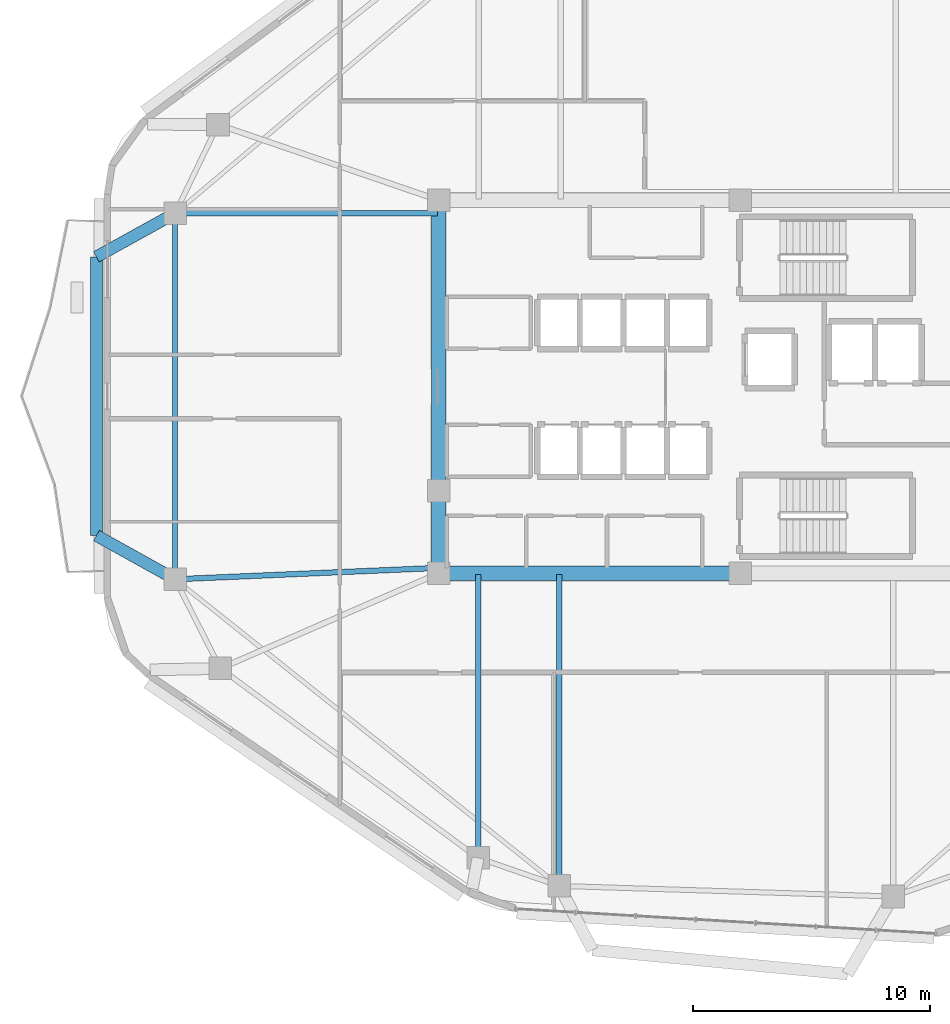
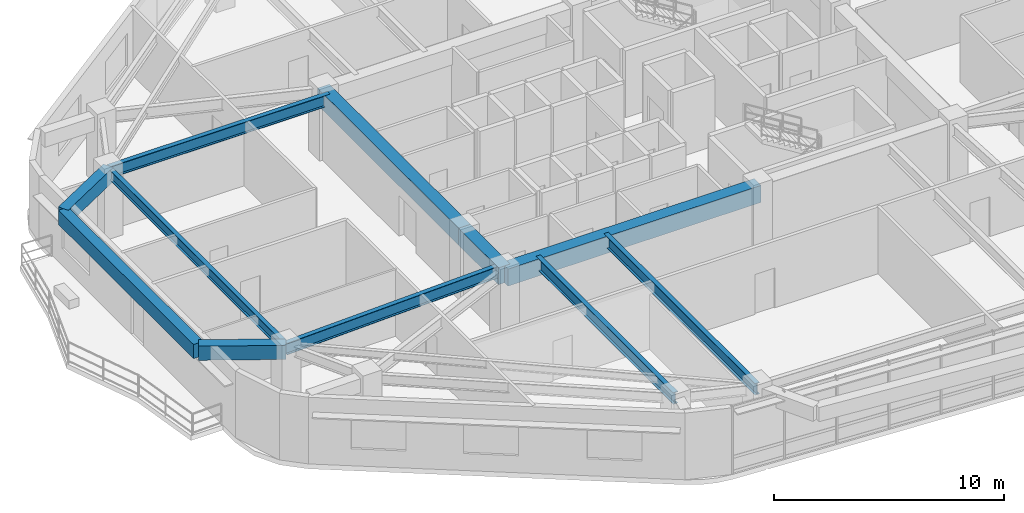
# One storey, part 5 of 14: 11 beams.
"""IFC4 building model written with IfcOpenShell, lengths in metres."""

from ifc_helpers import new_model, si_unit, direction, frame, origin, origin_2d, place, context, subcontext, project, spatial, rectangle, i_section, extrude, material, material_profile, profile_set, type_object, element, save


model = new_model("IFC4")

# Units and contexts
model_context = context("Model", 3, precision=1e-05, world=origin(), true_north=direction((0.0, 1.0)))
body_context = subcontext(model_context, "Body", "Model", "MODEL_VIEW")
ifc_project = project(units=[si_unit("LENGTHUNIT", "METRE"), si_unit("AREAUNIT", "SQUARE_METRE"), si_unit("VOLUMEUNIT", "CUBIC_METRE"), si_unit("PLANEANGLEUNIT", "RADIAN"), si_unit("MASSUNIT", "GRAM", prefix="KILO")], contexts=[model_context])

# Site, building, storey
site_placement = place(None, origin())
site = spatial("IfcSite", under=ifc_project, at=site_placement, CompositionType="ELEMENT")
building_placement = place(site_placement, origin())
building = spatial("IfcBuilding", under=site, at=building_placement, Name="Zulverin Broadcast Headquarters", CompositionType="ELEMENT")
storey_placement = place(building_placement, frame((0.0, 0.0, 208.60009765625)))
storey = spatial("IfcBuildingStorey", under=building, at=storey_placement, Name="L53", CompositionType="ELEMENT", Elevation=208.60009765625)

# Beams
ifc_material_1 = material(Name="Concrete C60/75", Category="concrete")
ifc_material_profile_1 = material_profile(ifc_material_1, rectangle(XDim=0.60009765625, YDim=0.89990234375, at=origin_2d()), Name="Concrete C60/75", Category="concrete")
ifc_profile_set_1 = profile_set([ifc_material_profile_1], Name="Concrete C60/75")
beam_type_1 = type_object("IfcBeamType", Name="BM-CB-600x900", PredefinedType="LINTEL", material=ifc_profile_set_1)
beam_1_placement = place(storey_placement, frame((25.72509765625, 17.324951171875, 3.08984375), z_axis=(1.0, 0.0, 0.0), x_axis=(0.0, 1.0, 0.0)))
element("IfcBeam", 1, at=beam_1_placement, inside=storey, type_object=beam_type_1, Name="L53 Core Coupling Girder K01-K02", PredefinedType="LINTEL", context=body_context, shape_type="SweptSolid", body=[
    extrude(rectangle(XDim=0.60009765625, YDim=0.89990234375, at=origin_2d()), origin(), (0.0, 0.0, 1.0), 12.724853515625),
])
beam_2_placement = place(storey_placement, frame((25.72509765625, 33.074951171875, 3.08984375), z_axis=(0.0, -1.0, 0.0), x_axis=(1.0, 0.0, 0.0)))
element("IfcBeam", 2, at=beam_2_placement, inside=storey, type_object=beam_type_1, Name="L53 Core Coupling Girder K07-K08", PredefinedType="LINTEL", context=body_context, shape_type="SweptSolid", body=[
    extrude(rectangle(XDim=0.60009765625, YDim=0.89990234375, at=origin_2d()), origin(), (0.0, 0.0, 1.0), 12.27490234375),
])
beam_3_placement = place(storey_placement, frame((25.72509765625, 20.800048828125, 3.08984375), z_axis=(0.0, -1.0, 0.0), x_axis=(1.0, 0.0, 0.0)))
element("IfcBeam", 3, at=beam_3_placement, inside=storey, type_object=beam_type_1, Name="L53 Core Coupling Girder K08-K01", PredefinedType="LINTEL", context=body_context, shape_type="SweptSolid", body=[
    extrude(rectangle(XDim=0.60009765625, YDim=0.89990234375, at=origin_2d()), origin(), (0.0, 0.0, 1.0), 3.47509765625),
])
ifc_material_2 = material(Name="Concrete C40/50", Category="concrete")
ifc_material_profile_2 = material_profile(ifc_material_2, rectangle(XDim=0.5, YDim=0.75, at=origin_2d()), Name="Concrete C40/50", Category="concrete")
ifc_profile_set_2 = profile_set([ifc_material_profile_2], Name="Concrete C40/50")
beam_type_2 = type_object("IfcBeamType", Name="BM-RC-500x750", PredefinedType="BEAM", material=ifc_profile_set_2)
for number, where, z_axis, x_axis, name in (
    (4, (14.60009765625, 32.523193359375, 3.164794921875), (-0.875019567372, -0.484087550672, 0.0), (0.484087550672, -0.875019567372, 0.0), "L54 Balcony Column-Framed Cantilever BAL_W-1"),
    (5, (14.60009765625, 17.072021484375, 3.164794921875), (-0.874154245552, 0.485648386163, 0.0), (-0.485648386163, -0.874154245552, 0.0), "L54 Balcony Column-Framed Cantilever BAL_W-2"),
):
    element("IfcBeam", number, at=place(storey_placement, frame(where, z_axis=z_axis, x_axis=x_axis)), inside=storey, type_object=beam_type_2, Name=name, PredefinedType="BEAM", context=body_context, shape_type="SweptSolid", body=[
        extrude(rectangle(XDim=0.5, YDim=0.75, at=origin_2d()), origin(), (0.0, 0.0, 1.0), 3.800048828125),
    ])
beam_4_placement = place(storey_placement, frame((11.27490234375, 30.68359375, 3.164794921875), z_axis=(0.00029049258, -0.999999957807, 0.0), x_axis=(0.999999957807, 0.00029049258, 0.0)))
element("IfcBeam", 6, at=beam_4_placement, inside=storey, type_object=beam_type_2, Name="L54 Balcony Outer Edge Trimmer Beam BAL_W", PredefinedType="BEAM", context=body_context, shape_type="SweptSolid", body=[
    extrude(rectangle(XDim=0.5, YDim=0.75, at=origin_2d()), origin(), (0.0, 0.0, 1.0), 11.76611328125),
])
ifc_material_3 = material(Name="Structural steel S355JR", Category="steel")
ifc_material_profile_3 = material_profile(ifc_material_3, i_section(OverallWidth=0.2119140625, OverallDepth=0.54443359375, WebThickness=0.0126953125, FlangeThickness=0.021240234375, at=origin_2d()), Name="Structural steel S355JR", Category="steel")
ifc_profile_set_3 = profile_set([ifc_material_profile_3], Name="Structural steel S355JR")
beam_type_3 = type_object("IfcBeamType", Name="BM-UB-533", PredefinedType="SPANDREL", material=ifc_profile_set_3)
beam_5_placement = place(storey_placement, frame((14.60009765625, 32.523193359375, 3.267578125), z_axis=(0.0, -1.0, 0.0), x_axis=(1.0, 0.0, 0.0)))
element("IfcBeam", 7, at=beam_5_placement, inside=storey, type_object=beam_type_3, Name="L53 Perimeter Spandrel Beam SP-13", PredefinedType="SPANDREL", context=body_context, shape_type="SweptSolid", body=[
    extrude(i_section(OverallWidth=0.2119140625, OverallDepth=0.54443359375, WebThickness=0.0126953125, FlangeThickness=0.021240234375, at=origin_2d()), origin(), (0.0, 0.0, 1.0), 15.451171875),
])
ifc_material_profile_4 = material_profile(ifc_material_3, i_section(OverallWidth=0.230224609375, OverallDepth=0.6171875, WebThickness=0.01318359375, FlangeThickness=0.022216796875, at=origin_2d()), Name="Structural steel S355JR", Category="steel")
ifc_profile_set_4 = profile_set([ifc_material_profile_4], Name="Structural steel S355JR")
beam_type_4 = type_object("IfcBeamType", Name="BM-UB-610", PredefinedType="BEAM", material=ifc_profile_set_4)
beam_6_placement = place(storey_placement, frame((30.80859375, 17.27490234375, 3.231201171875), z_axis=(0.0, -1.0, 0.0), x_axis=(1.0, 0.0, 0.0)))
element("IfcBeam", 8, at=beam_6_placement, inside=storey, type_object=beam_type_4, Name="L53 Radial Primary Floor Beam RB-01", PredefinedType="BEAM", context=body_context, shape_type="SweptSolid", body=[
    extrude(i_section(OverallWidth=0.230224609375, OverallDepth=0.6171875, WebThickness=0.01318359375, FlangeThickness=0.022216796875, at=origin_2d()), origin(), (0.0, 0.0, 1.0), 13.1474609375),
])
beam_7_placement = place(storey_placement, frame((25.675048828125, 32.523193359375, 3.231201171875), z_axis=(-1.0, 0.0, 0.0), x_axis=(0.0, -1.0, 0.0)))
element("IfcBeam", 9, at=beam_7_placement, inside=storey, type_object=beam_type_4, Name="L53 Radial Primary Floor Beam RB-13", PredefinedType="BEAM", context=body_context, shape_type="SweptSolid", body=[
    extrude(i_section(OverallWidth=0.230224609375, OverallDepth=0.6171875, WebThickness=0.01318359375, FlangeThickness=0.022216796875, at=origin_2d()), origin(), (0.0, 0.0, 1.0), 11.074951171875),
])
beam_8_placement = place(storey_placement, frame((25.675048828125, 17.550048828125, 3.231201171875), z_axis=(-0.999069780306, -0.043122779134, 0.0), x_axis=(0.043122779134, -0.999069780306, 0.0)))
element("IfcBeam", 10, at=beam_8_placement, inside=storey, type_object=beam_type_4, Name="L53 Radial Primary Floor Beam RB-14", PredefinedType="BEAM", context=body_context, shape_type="SweptSolid", body=[
    extrude(i_section(OverallWidth=0.230224609375, OverallDepth=0.6171875, WebThickness=0.01318359375, FlangeThickness=0.022216796875, at=origin_2d()), origin(), (0.0, 0.0, 1.0), 11.085205078125),
])
beam_9_placement = place(storey_placement, frame((27.38720703125, 17.27490234375, 3.231201171875), z_axis=(0.0, -1.0, 0.0), x_axis=(1.0, 0.0, 0.0)))
element("IfcBeam", 11, at=beam_9_placement, inside=storey, type_object=beam_type_4, Name="L53 Radial Primary Floor Beam RB-16", PredefinedType="BEAM", context=body_context, shape_type="SweptSolid", body=[
    extrude(i_section(OverallWidth=0.230224609375, OverallDepth=0.6171875, WebThickness=0.01318359375, FlangeThickness=0.022216796875, at=origin_2d()), origin(), (0.0, 0.0, 1.0), 11.965087890625),
])

save(model, "model.ifc")
